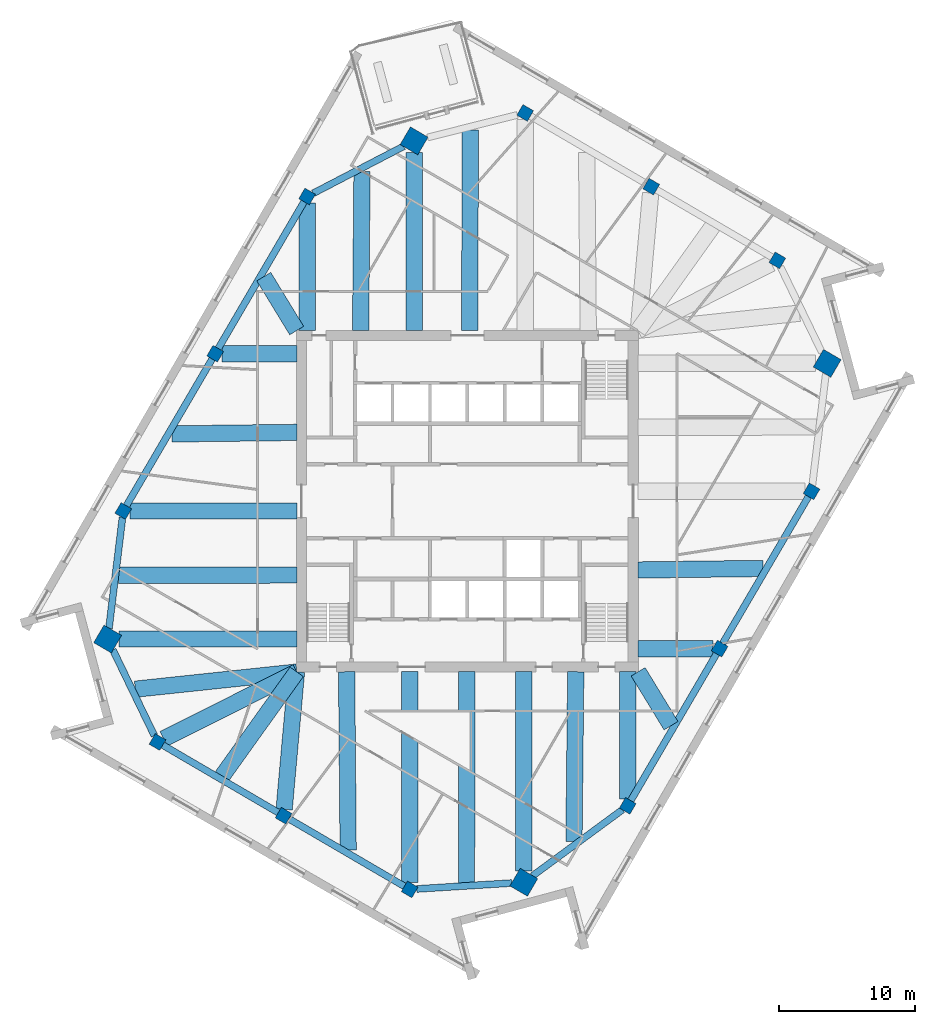
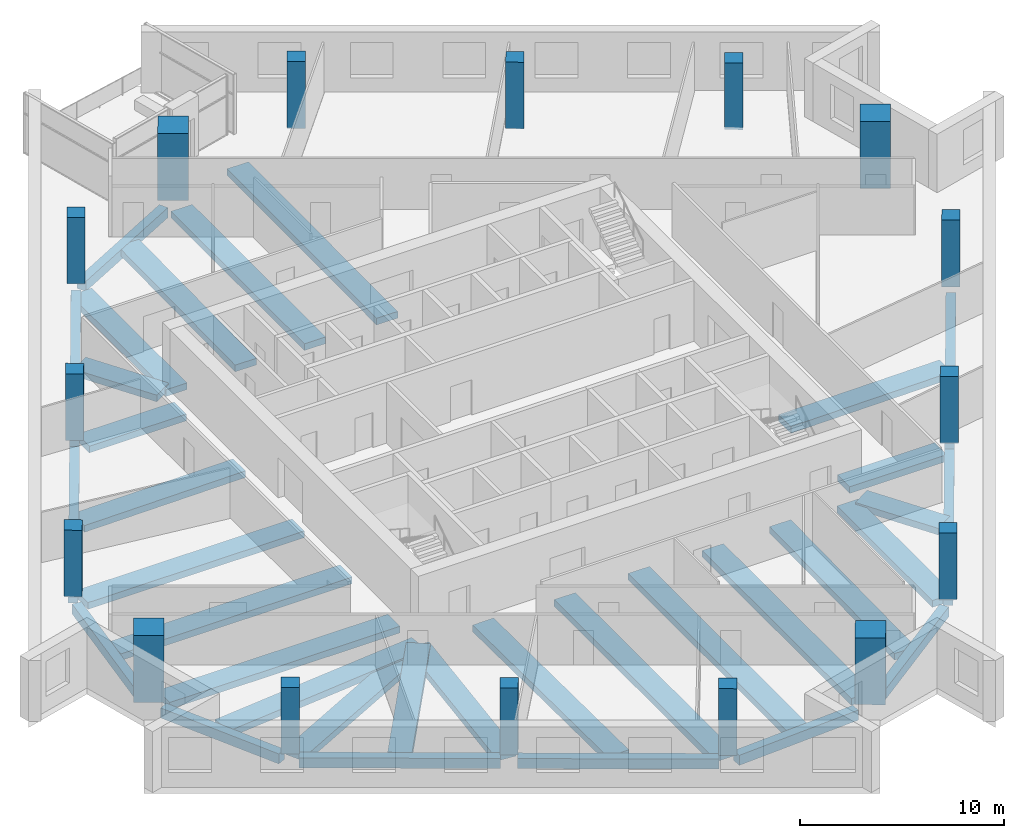
# One storey, part 1 of 13: 34 beams, 16 columns.
"""IFC4 building model written with IfcOpenShell, lengths in metres."""

from ifc_helpers import new_model, si_unit, direction, frame, origin, origin_2d, place, context, subcontext, project, spatial, rectangle, extrude, material, material_profile, profile_set, type_object, element, save


model = new_model("IFC4")

# Units and contexts
model_context = context("Model", 3, precision=1e-05, world=origin(), true_north=direction((0.0, 1.0)))
body_context = subcontext(model_context, "Body", "Model", "MODEL_VIEW")
ifc_project = project(units=[si_unit("LENGTHUNIT", "METRE"), si_unit("AREAUNIT", "SQUARE_METRE"), si_unit("VOLUMEUNIT", "CUBIC_METRE"), si_unit("PLANEANGLEUNIT", "RADIAN"), si_unit("MASSUNIT", "GRAM", prefix="KILO")], contexts=[model_context])

# Site, building, storey
site_placement = place(None, origin())
site = spatial("IfcSite", under=ifc_project, at=site_placement, CompositionType="ELEMENT")
building_placement = place(site_placement, origin())
building = spatial("IfcBuilding", under=site, at=building_placement, Name="Dilmun Exchange Tower", CompositionType="ELEMENT")
storey_placement = place(building_placement, frame((0.0, 0.0, 270.89990234375)))
storey = spatial("IfcBuildingStorey", under=building, at=storey_placement, Name="L64", CompositionType="ELEMENT", Elevation=270.89990234375)

# Columns
ifc_material_1 = material(Name="Concrete C50/60", Category="concrete")
ifc_material_profile_1 = material_profile(ifc_material_1, rectangle(XDim=1.5, YDim=1.5, at=origin_2d()), Name="1500 x 1500")
ifc_profile_set_1 = profile_set([ifc_material_profile_1], Name="Concrete C50/60")
column_type_1 = type_object("IfcColumnType", Name="RC mega column 1500 x 1500 C50/60", PredefinedType="COLUMN", material=ifc_profile_set_1)
for number, where, z_axis, x_axis, name in (
    (1, (-3.9150390625, 26.45703125, 0.0), (0.0, 0.0, 1.0), (0.504643651291, 0.863327739165, 0.0), "Mega column M1"),
    (2, (-26.4150390625, -10.1220703125, 0.0), (0.0, 0.0, 1.0), (0.504643651291, 0.863327739165, 0.0), "Mega column M2"),
    (3, (4.14111328125, -27.98291015625, 0.0), (0.0, 0.0, 1.0), (0.504643651291, 0.863327739165, 0.0), "Mega column M3"),
    (4, (26.4150390625, 10.1220703125, 0.0), (0.0, 0.0, 1.0), (0.504643651291, 0.863327739165, 0.0), "Mega column M4"),
):
    element("IfcColumn", number, at=place(storey_placement, frame(where, z_axis=z_axis, x_axis=x_axis)), inside=storey, type_object=column_type_1, Name=name, PredefinedType="COLUMN", context=body_context, shape_type="SweptSolid", body=[
        extrude(rectangle(XDim=1.5, YDim=1.5, at=origin_2d()), origin(), (0.0, 0.0, 1.0), 4.0),
    ])
ifc_material_profile_2 = material_profile(ifc_material_1, rectangle(XDim=0.89990234375, YDim=0.89990234375, at=origin_2d()), Name="900 x 900")
ifc_profile_set_2 = profile_set([ifc_material_profile_2], Name="Concrete C50/60")
column_type_2 = type_object("IfcColumnType", Name="RC ring column 900 x 900 C50/60", PredefinedType="COLUMN", material=ifc_profile_set_2)
for number, where, z_axis, x_axis, name in (
    (5, (-11.76904296875, 22.3720703125, 0.0), (0.0, 0.0, 1.0), (0.504643651291, 0.863327739165, 0.0), "Ring column R01"),
    (6, (-18.51806640625, 10.824951171875, 0.0), (0.0, 0.0, 1.0), (0.504643651291, 0.863327739165, 0.0), "Ring column R02"),
    (7, (-25.26806640625, -0.721923828125, 0.0), (0.0, 0.0, 1.0), (0.504643651291, 0.863327739165, 0.0), "Ring column R03"),
    (8, (-22.758056640625, -17.681884765625, 0.0), (0.0, 0.0, 1.0), (0.504643651291, 0.863327739165, 0.0), "Ring column R04"),
    (9, (-13.4990234375, -23.093994140625, 0.0), (0.0, 0.0, 1.0), (0.504643651291, 0.863327739165, 0.0), "Ring column R05"),
    (10, (-4.239990234375, -28.506103515625, 0.0), (0.0, 0.0, 1.0), (0.504643651291, 0.863327739165, 0.0), "Ring column R06"),
    (11, (11.76904296875, -22.3720703125, 0.0), (0.0, 0.0, 1.0), (0.504643651291, 0.863327739165, 0.0), "Ring column R07"),
    (12, (18.51806640625, -10.824951171875, 0.0), (0.0, 0.0, 1.0), (0.504643651291, 0.863327739165, 0.0), "Ring column R08"),
    (13, (25.26806640625, 0.721923828125, 0.0), (0.0, 0.0, 1.0), (0.504643651291, 0.863327739165, 0.0), "Ring column R09"),
    (14, (22.758056640625, 17.681884765625, 0.0), (0.0, 0.0, 1.0), (0.504643651291, 0.863327739165, 0.0), "Ring column R10"),
    (15, (13.4990234375, 23.093994140625, 0.0), (0.0, 0.0, 1.0), (0.504643651291, 0.863327739165, 0.0), "Ring column R11"),
    (16, (4.239990234375, 28.506103515625, 0.0), (0.0, 0.0, 1.0), (0.504643651291, 0.863327739165, 0.0), "Ring column R12"),
):
    element("IfcColumn", number, at=place(storey_placement, frame(where, z_axis=z_axis, x_axis=x_axis)), inside=storey, type_object=column_type_2, Name=name, PredefinedType="COLUMN", context=body_context, shape_type="SweptSolid", body=[
        extrude(rectangle(XDim=0.89990234375, YDim=0.89990234375, at=origin_2d()), origin(), (0.0, 0.0, 1.0), 4.0),
    ])

# Beams
ifc_material_2 = material(Name="Concrete C40/50", Category="concrete")
ifc_material_profile_3 = material_profile(ifc_material_2, rectangle(XDim=1.199951171875, YDim=0.39990234375, at=origin_2d()), Name="1200 x 400")
ifc_profile_set_3 = profile_set([ifc_material_profile_3], Name="Concrete C40/50")
beam_type_1 = type_object("IfcBeamType", Name="RC band beam 1200 x 400 C40/50", PredefinedType="BEAM", material=ifc_profile_set_3)
beam_1_placement = place(storey_placement, frame((-3.9150390625, 25.615234375, -0.659912109375), z_axis=(0.0, -1.0, 0.0), x_axis=(1.0, 0.0, 0.0)))
element("IfcBeam", 17, at=beam_1_placement, inside=storey, type_object=beam_type_1, Name="Band beam 1", PredefinedType="BEAM", context=body_context, shape_type="SweptSolid", body=[
    extrude(rectangle(XDim=1.199951171875, YDim=0.39990234375, at=origin_2d()), origin(), (0.0, 0.0, 1.0), 13.09228515625),
])
beam_2_placement = place(storey_placement, frame((-11.76904296875, 21.877685546875, -0.659912109375), z_axis=(0.0, -1.0, 0.0), x_axis=(1.0, 0.0, 0.0)))
element("IfcBeam", 18, at=beam_2_placement, inside=storey, type_object=beam_type_1, Name="Band beam 2", PredefinedType="BEAM", context=body_context, shape_type="SweptSolid", body=[
    extrude(rectangle(XDim=1.199951171875, YDim=0.39990234375, at=origin_2d()), origin(), (0.0, 0.0, 1.0), 9.354736328125),
])
beam_3_placement = place(storey_placement, frame((-18.023681640625, 10.824951171875, -0.659912109375), z_axis=(1.0, 0.0, 0.0), x_axis=(0.0, 1.0, 0.0)))
element("IfcBeam", 19, at=beam_3_placement, inside=storey, type_object=beam_type_1, Name="Band beam 3", PredefinedType="BEAM", context=body_context, shape_type="SweptSolid", body=[
    extrude(rectangle(XDim=1.199951171875, YDim=0.39990234375, at=origin_2d()), origin(), (0.0, 0.0, 1.0), 5.500732421875),
])
beam_4_placement = place(storey_placement, frame((-24.773681640625, -0.721923828125, -0.659912109375), z_axis=(1.0, 0.0, 0.0), x_axis=(0.0, 1.0, 0.0)))
element("IfcBeam", 20, at=beam_4_placement, inside=storey, type_object=beam_type_1, Name="Band beam 4", PredefinedType="BEAM", context=body_context, shape_type="SweptSolid", body=[
    extrude(rectangle(XDim=1.199951171875, YDim=0.39990234375, at=origin_2d()), origin(), (0.0, 0.0, 1.0), 12.250732421875),
])
beam_5_placement = place(storey_placement, frame((-25.5732421875, -10.1220703125, -0.659912109375), z_axis=(1.0, 0.0, 0.0), x_axis=(0.0, 1.0, 0.0)))
element("IfcBeam", 21, at=beam_5_placement, inside=storey, type_object=beam_type_1, Name="Band beam 5", PredefinedType="BEAM", context=body_context, shape_type="SweptSolid", body=[
    extrude(rectangle(XDim=1.199951171875, YDim=0.39990234375, at=origin_2d()), origin(), (0.0, 0.0, 1.0), 13.05029296875),
])
beam_6_placement = place(storey_placement, frame((-22.302734375, -17.453125, -0.659912109375), z_axis=(0.893443377394, 0.449175835716, 0.0), x_axis=(-0.449175835716, 0.893443377394, 0.0)))
element("IfcBeam", 22, at=beam_6_placement, inside=storey, type_object=beam_type_1, Name="Band beam 6", PredefinedType="BEAM", context=body_context, shape_type="SweptSolid", body=[
    extrude(rectangle(XDim=1.199951171875, YDim=0.39990234375, at=origin_2d()), origin(), (0.0, 0.0, 1.0), 10.94287109375),
])
beam_7_placement = place(storey_placement, frame((-13.456787109375, -22.625732421875, -0.659912109375), z_axis=(0.089632924375, 0.995974868593, 0.0), x_axis=(-0.995974868593, 0.089632924375, 0.0)))
element("IfcBeam", 23, at=beam_7_placement, inside=storey, type_object=beam_type_1, Name="Band beam 7", PredefinedType="BEAM", context=body_context, shape_type="SweptSolid", body=[
    extrude(rectangle(XDim=1.199951171875, YDim=0.39990234375, at=origin_2d()), origin(), (0.0, 0.0, 1.0), 10.143310546875),
])
beam_8_placement = place(storey_placement, frame((-4.239990234375, -28.01171875, -0.659912109375), z_axis=(0.0, 1.0, 0.0), x_axis=(-1.0, 0.0, 0.0)))
element("IfcBeam", 24, at=beam_8_placement, inside=storey, type_object=beam_type_1, Name="Band beam 8", PredefinedType="BEAM", context=body_context, shape_type="SweptSolid", body=[
    extrude(rectangle(XDim=1.199951171875, YDim=0.39990234375, at=origin_2d()), origin(), (0.0, 0.0, 1.0), 15.48876953125),
])
beam_9_placement = place(storey_placement, frame((4.14111328125, -27.141357421875, -0.659912109375), z_axis=(0.0, 1.0, 0.0), x_axis=(-1.0, 0.0, 0.0)))
element("IfcBeam", 25, at=beam_9_placement, inside=storey, type_object=beam_type_1, Name="Band beam 9", PredefinedType="BEAM", context=body_context, shape_type="SweptSolid", body=[
    extrude(rectangle(XDim=1.199951171875, YDim=0.39990234375, at=origin_2d()), origin(), (0.0, 0.0, 1.0), 14.618408203125),
])
beam_10_placement = place(storey_placement, frame((11.76904296875, -21.877685546875, -0.659912109375), z_axis=(0.0, 1.0, 0.0), x_axis=(-1.0, 0.0, 0.0)))
element("IfcBeam", 26, at=beam_10_placement, inside=storey, type_object=beam_type_1, Name="Band beam 10", PredefinedType="BEAM", context=body_context, shape_type="SweptSolid", body=[
    extrude(rectangle(XDim=1.199951171875, YDim=0.39990234375, at=origin_2d()), origin(), (0.0, 0.0, 1.0), 9.354736328125),
])
beam_11_placement = place(storey_placement, frame((18.023681640625, -10.824951171875, -0.659912109375), z_axis=(-1.0, 0.0, 0.0), x_axis=(0.0, -1.0, 0.0)))
element("IfcBeam", 27, at=beam_11_placement, inside=storey, type_object=beam_type_1, Name="Band beam 11", PredefinedType="BEAM", context=body_context, shape_type="SweptSolid", body=[
    extrude(rectangle(XDim=1.199951171875, YDim=0.39990234375, at=origin_2d()), origin(), (0.0, 0.0, 1.0), 5.500732421875),
])
beam_12_placement = place(storey_placement, frame((-7.739013671875, 24.216796875, -0.559814453125), z_axis=(-0.008810046818, -0.999961190784, 0.0), x_axis=(0.999961190784, -0.008810046818, 0.0)))
element("IfcBeam", 28, at=beam_12_placement, inside=storey, type_object=beam_type_1, Name="Band beam 17", PredefinedType="BEAM", context=body_context, shape_type="SweptSolid", body=[
    extrude(rectangle(XDim=1.199951171875, YDim=0.39990234375, at=origin_2d()), origin(), (0.0, 0.0, 1.0), 11.6943359375),
])
beam_13_placement = place(storey_placement, frame((-14.950927734375, 16.486083984375, -0.559814453125), z_axis=(0.520868546878, -0.853636899901, 0.0), x_axis=(0.853636899901, 0.520868546878, 0.0)))
element("IfcBeam", 29, at=beam_13_placement, inside=storey, type_object=beam_type_1, Name="Band beam 18", PredefinedType="BEAM", context=body_context, shape_type="SweptSolid", body=[
    extrude(rectangle(XDim=1.199951171875, YDim=0.39990234375, at=origin_2d()), origin(), (0.0, 0.0, 1.0), 4.637451171875),
])
beam_14_placement = place(storey_placement, frame((-21.700439453125, 4.93896484375, -0.559814453125), z_axis=(0.999924810861, 0.01226265164, 0.0), x_axis=(-0.01226265164, 0.999924810861, 0.0)))
element("IfcBeam", 30, at=beam_14_placement, inside=storey, type_object=beam_type_1, Name="Band beam 19", PredefinedType="BEAM", context=body_context, shape_type="SweptSolid", body=[
    extrude(rectangle(XDim=1.199951171875, YDim=0.39990234375, at=origin_2d()), origin(), (0.0, 0.0, 1.0), 9.17822265625),
])
beam_15_placement = place(storey_placement, frame((-25.6201171875, -5.448974609375, -0.559814453125), z_axis=(0.999997897774, 0.002050474756, 0.0), x_axis=(-0.002050474756, 0.999997897774, 0.0)))
element("IfcBeam", 31, at=beam_15_placement, inside=storey, type_object=beam_type_1, Name="Band beam 20", PredefinedType="BEAM", context=body_context, shape_type="SweptSolid", body=[
    extrude(rectangle(XDim=1.199951171875, YDim=0.39990234375, at=origin_2d()), origin(), (0.0, 0.0, 1.0), 13.09716796875),
])
beam_16_placement = place(storey_placement, frame((-24.3857421875, -13.804931640625, -0.559814453125), z_axis=(0.994425543871, 0.105441157505, 0.0), x_axis=(-0.105441157505, 0.994425543871, 0.0)))
element("IfcBeam", 32, at=beam_16_placement, inside=storey, type_object=beam_type_1, Name="Band beam 21", PredefinedType="BEAM", context=body_context, shape_type="SweptSolid", body=[
    extrude(rectangle(XDim=1.199951171875, YDim=0.39990234375, at=origin_2d()), origin(), (0.0, 0.0, 1.0), 11.928955078125),
])
beam_17_placement = place(storey_placement, frame((-18.01611328125, -20.195556640625, -0.559814453125), z_axis=(0.581600762294, 0.81347437163, 0.0), x_axis=(-0.81347437163, 0.581600762294, 0.0)))
element("IfcBeam", 33, at=beam_17_placement, inside=storey, type_object=beam_type_1, Name="Band beam 22", PredefinedType="BEAM", context=body_context, shape_type="SweptSolid", body=[
    extrude(rectangle(XDim=1.199951171875, YDim=0.39990234375, at=origin_2d()), origin(), (0.0, 0.0, 1.0), 9.425537109375),
])
beam_18_placement = place(storey_placement, frame((-8.757080078125, -25.607421875, -0.559814453125), z_axis=(-0.008582734208, 0.999963167658, 0.0), x_axis=(-0.999963167658, -0.008582734208, 0.0)))
element("IfcBeam", 34, at=beam_18_placement, inside=storey, type_object=beam_type_1, Name="Band beam 23", PredefinedType="BEAM", context=body_context, shape_type="SweptSolid", body=[
    extrude(rectangle(XDim=1.199951171875, YDim=0.39990234375, at=origin_2d()), origin(), (0.0, 0.0, 1.0), 13.0849609375),
])
beam_19_placement = place(storey_placement, frame((-0.0634765625, -28.02197265625, -0.559814453125), z_axis=(0.000897863667, 0.99999959692, 0.0), x_axis=(-0.99999959692, 0.000897863667, 0.0)))
element("IfcBeam", 35, at=beam_19_placement, inside=storey, type_object=beam_type_1, Name="Band beam 24", PredefinedType="BEAM", context=body_context, shape_type="SweptSolid", body=[
    extrude(rectangle(XDim=1.199951171875, YDim=0.39990234375, at=origin_2d()), origin(), (0.0, 0.0, 1.0), 15.4990234375),
])
beam_20_placement = place(storey_placement, frame((7.822998046875, -24.997802734375, -0.559814453125), z_axis=(0.010587112348, 0.999943954956, 0.0), x_axis=(-0.999943954956, 0.010587112348, 0.0)))
element("IfcBeam", 36, at=beam_20_placement, inside=storey, type_object=beam_type_1, Name="Band beam 25", PredefinedType="BEAM", context=body_context, shape_type="SweptSolid", body=[
    extrude(rectangle(XDim=1.199951171875, YDim=0.39990234375, at=origin_2d()), origin(), (0.0, 0.0, 1.0), 12.4755859375),
])
beam_21_placement = place(storey_placement, frame((14.950927734375, -16.486083984375, -0.559814453125), z_axis=(-0.520868546878, 0.853636899901, 0.0), x_axis=(-0.853636899901, -0.520868546878, 0.0)))
element("IfcBeam", 37, at=beam_21_placement, inside=storey, type_object=beam_type_1, Name="Band beam 26", PredefinedType="BEAM", context=body_context, shape_type="SweptSolid", body=[
    extrude(rectangle(XDim=1.199951171875, YDim=0.39990234375, at=origin_2d()), origin(), (0.0, 0.0, 1.0), 4.637451171875),
])
beam_22_placement = place(storey_placement, frame((21.700439453125, -4.93896484375, -0.559814453125), z_axis=(-0.999924810861, -0.01226265164, 0.0), x_axis=(0.01226265164, -0.999924810861, 0.0)))
element("IfcBeam", 38, at=beam_22_placement, inside=storey, type_object=beam_type_1, Name="Band beam 27", PredefinedType="BEAM", context=body_context, shape_type="SweptSolid", body=[
    extrude(rectangle(XDim=1.199951171875, YDim=0.39990234375, at=origin_2d()), origin(), (0.0, 0.0, 1.0), 9.17822265625),
])
beam_23_placement = place(storey_placement, frame((0.216796875, 27.26513671875, -0.559814453125), z_axis=(-0.003676445742, -0.999993241851, 0.0), x_axis=(0.999993241851, -0.003676445742, 0.0)))
element("IfcBeam", 39, at=beam_23_placement, inside=storey, type_object=beam_type_1, Name="Band beam 32", PredefinedType="BEAM", context=body_context, shape_type="SweptSolid", body=[
    extrude(rectangle(XDim=1.199951171875, YDim=0.39990234375, at=origin_2d()), origin(), (0.0, 0.0, 1.0), 14.7421875),
])
ifc_material_profile_4 = material_profile(ifc_material_2, rectangle(XDim=0.5, YDim=0.60009765625, at=origin_2d()), Name="500 x 600")
ifc_profile_set_4 = profile_set([ifc_material_profile_4], Name="Concrete C40/50")
beam_type_2 = type_object("IfcBeamType", Name="RC ring beam 500 x 600 C40/50", PredefinedType="SPANDREL", material=ifc_profile_set_4)
beam_24_placement = place(storey_placement, frame((-4.677490234375, 26.060302734375, -0.659912109375), z_axis=(-0.887179966585, -0.461423565599, 0.0), x_axis=(0.461423565599, -0.887179966585, 0.0)))
element("IfcBeam", 40, at=beam_24_placement, inside=storey, type_object=beam_type_2, Name="Ring beam 1", PredefinedType="SPANDREL", context=body_context, shape_type="SweptSolid", body=[
    extrude(rectangle(XDim=0.5, YDim=0.60009765625, at=origin_2d()), origin(), (0.0, 0.0, 1.0), 7.48828125),
])
beam_25_placement = place(storey_placement, frame((-11.982421875, 22.0068359375, -0.659912109375), z_axis=(-0.504603860956, -0.863350996703, 0.0), x_axis=(0.863350996703, -0.504603860956, 0.0)))
element("IfcBeam", 41, at=beam_25_placement, inside=storey, type_object=beam_type_2, Name="Ring beam 2", PredefinedType="SPANDREL", context=body_context, shape_type="SweptSolid", body=[
    extrude(rectangle(XDim=0.5, YDim=0.60009765625, at=origin_2d()), origin(), (0.0, 0.0, 1.0), 12.528564453125),
])
beam_26_placement = place(storey_placement, frame((-18.7314453125, 10.459716796875, -0.659912109375), z_axis=(-0.504670446374, -0.863312075994, 0.0), x_axis=(0.863312075994, -0.504670446374, 0.0)))
element("IfcBeam", 42, at=beam_26_placement, inside=storey, type_object=beam_type_2, Name="Ring beam 3", PredefinedType="SPANDREL", context=body_context, shape_type="SweptSolid", body=[
    extrude(rectangle(XDim=0.5, YDim=0.60009765625, at=origin_2d()), origin(), (0.0, 0.0, 1.0), 12.529052734375),
])
beam_27_placement = place(storey_placement, frame((-25.32421875, -1.181640625, -0.659912109375), z_axis=(-0.121108645076, -0.992639257781, 0.0), x_axis=(0.992639257781, -0.121108645076, 0.0)))
element("IfcBeam", 43, at=beam_27_placement, inside=storey, type_object=beam_type_2, Name="Ring beam 4", PredefinedType="SPANDREL", context=body_context, shape_type="SweptSolid", body=[
    extrude(rectangle(XDim=0.5, YDim=0.60009765625, at=origin_2d()), origin(), (0.0, 0.0, 1.0), 8.216796875),
])
beam_28_placement = place(storey_placement, frame((-26.033447265625, -10.910888671875, -0.659912109375), z_axis=(0.435439794363, -0.900217854458, 0.0), x_axis=(0.900217854458, 0.435439794363, 0.0)))
element("IfcBeam", 44, at=beam_28_placement, inside=storey, type_object=beam_type_2, Name="Ring beam 5", PredefinedType="SPANDREL", context=body_context, shape_type="SweptSolid", body=[
    extrude(rectangle(XDim=0.5, YDim=0.60009765625, at=origin_2d()), origin(), (0.0, 0.0, 1.0), 7.0068359375),
])
beam_29_placement = place(storey_placement, frame((-22.392822265625, -17.8955078125, -0.659912109375), z_axis=(0.863333071594, -0.504634528637, 0.0), x_axis=(0.504634528637, 0.863333071594, 0.0)))
element("IfcBeam", 45, at=beam_29_placement, inside=storey, type_object=beam_type_2, Name="Ring beam 6", PredefinedType="SPANDREL", context=body_context, shape_type="SweptSolid", body=[
    extrude(rectangle(XDim=0.5, YDim=0.60009765625, at=origin_2d()), origin(), (0.0, 0.0, 1.0), 9.878662109375),
])
beam_30_placement = place(storey_placement, frame((-13.1337890625, -23.3076171875, -0.659912109375), z_axis=(0.863343838609, -0.504616107884, 0.0), x_axis=(0.504616107884, 0.863343838609, 0.0)))
element("IfcBeam", 46, at=beam_30_placement, inside=storey, type_object=beam_type_2, Name="Ring beam 7", PredefinedType="SPANDREL", context=body_context, shape_type="SweptSolid", body=[
    extrude(rectangle(XDim=0.5, YDim=0.60009765625, at=origin_2d()), origin(), (0.0, 0.0, 1.0), 9.87841796875),
])
beam_31_placement = place(storey_placement, frame((-3.72607421875, -28.473876953125, -0.659912109375), z_axis=(0.998059216844, 0.062271981443, 0.0), x_axis=(-0.062271981443, 0.998059216844, 0.0)))
element("IfcBeam", 47, at=beam_31_placement, inside=storey, type_object=beam_type_2, Name="Ring beam 8", PredefinedType="SPANDREL", context=body_context, shape_type="SweptSolid", body=[
    extrude(rectangle(XDim=0.5, YDim=0.60009765625, at=origin_2d()), origin(), (0.0, 0.0, 1.0), 7.006103515625),
])
beam_32_placement = place(storey_placement, frame((4.77734375, -27.514892578125, -0.659912109375), z_axis=(0.805549228719, 0.592528851711, 0.0), x_axis=(-0.592528851711, 0.805549228719, 0.0)))
element("IfcBeam", 48, at=beam_32_placement, inside=storey, type_object=beam_type_2, Name="Ring beam 9", PredefinedType="SPANDREL", context=body_context, shape_type="SweptSolid", body=[
    extrude(rectangle(XDim=0.5, YDim=0.60009765625, at=origin_2d()), origin(), (0.0, 0.0, 1.0), 8.21630859375),
])
beam_33_placement = place(storey_placement, frame((11.982421875, -22.0068359375, -0.659912109375), z_axis=(0.504603860956, 0.863350996703, 0.0), x_axis=(-0.863350996703, 0.504603860956, 0.0)))
element("IfcBeam", 49, at=beam_33_placement, inside=storey, type_object=beam_type_2, Name="Ring beam 10", PredefinedType="SPANDREL", context=body_context, shape_type="SweptSolid", body=[
    extrude(rectangle(XDim=0.5, YDim=0.60009765625, at=origin_2d()), origin(), (0.0, 0.0, 1.0), 12.528564453125),
])
beam_34_placement = place(storey_placement, frame((18.7314453125, -10.459716796875, -0.659912109375), z_axis=(0.504670446374, 0.863312075994, 0.0), x_axis=(-0.863312075994, 0.504670446374, 0.0)))
element("IfcBeam", 50, at=beam_34_placement, inside=storey, type_object=beam_type_2, Name="Ring beam 11", PredefinedType="SPANDREL", context=body_context, shape_type="SweptSolid", body=[
    extrude(rectangle(XDim=0.5, YDim=0.60009765625, at=origin_2d()), origin(), (0.0, 0.0, 1.0), 12.529052734375),
])

save(model, "model.ifc")
